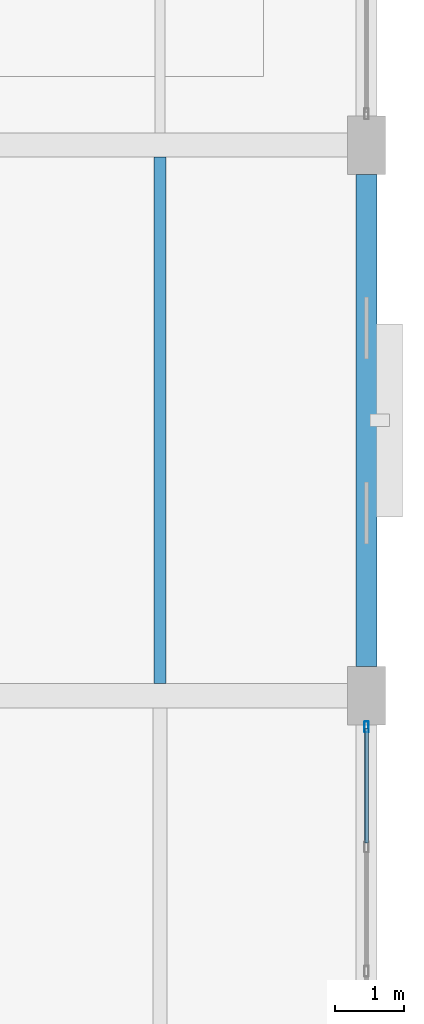
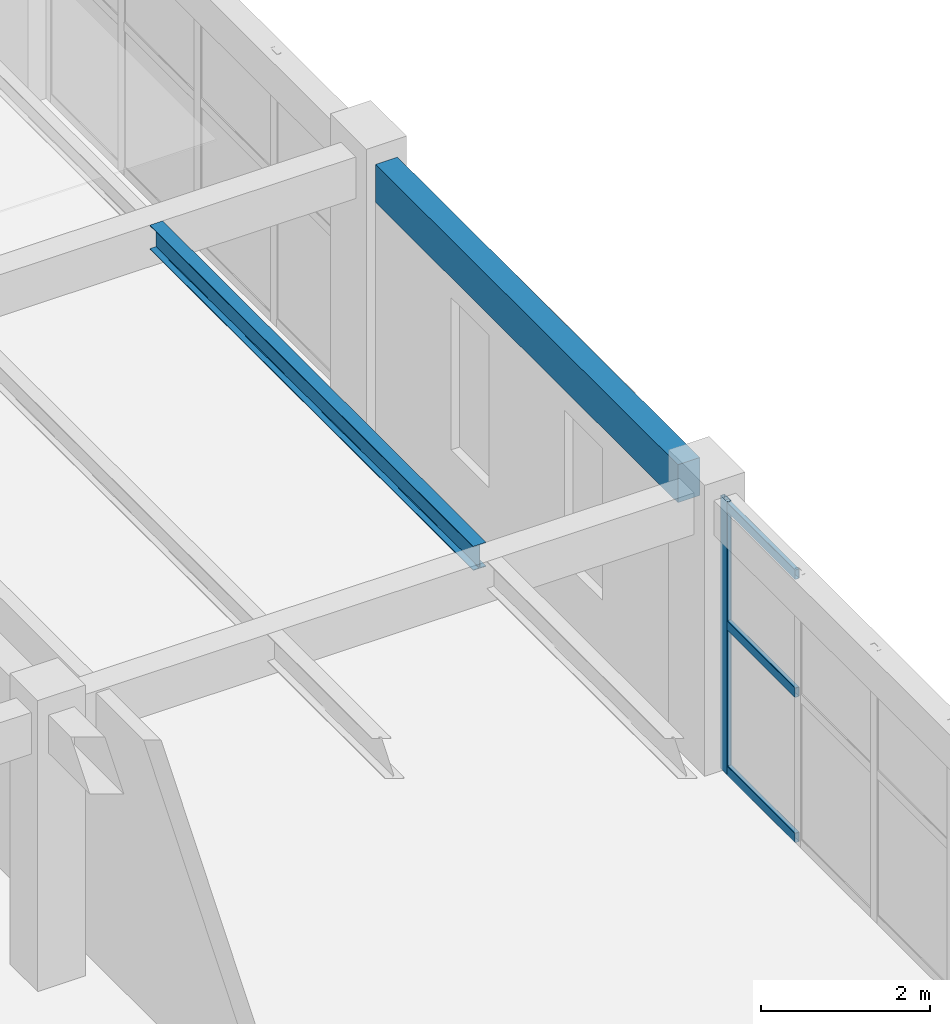
# One storey, part 21 of 71: 4 members, 2 beams, 1 element without a shape of its own.
"""IFC4 building model written with IfcOpenShell, lengths in metres."""

from ifc_helpers import new_model, si_unit, derived_unit, direction, frame, origin, origin_2d, place, context, subcontext, project, spatial, rectangle, hollow_rectangle, i_section, extrude, material, material_profile, profile_set, type_object, element, aggregate, save


model = new_model("IFC4")

# Units and contexts
model_context = context("Model", 3, precision=1e-05, world=origin(), true_north=direction((0.0, 1.0)))
body_context = subcontext(model_context, "Body", "Model", "MODEL_VIEW")
ifc_project = project(units=[si_unit("LENGTHUNIT", "METRE"), si_unit("AREAUNIT", "SQUARE_METRE"), si_unit("VOLUMEUNIT", "CUBIC_METRE"), si_unit("PLANEANGLEUNIT", "RADIAN"), si_unit("MASSUNIT", "GRAM", prefix="KILO"), derived_unit("THERMALTRANSMITTANCEUNIT", [(si_unit("MASSUNIT", "GRAM", prefix="KILO"), 1), (si_unit("TIMEUNIT", "SECOND"), -3), (si_unit("THERMODYNAMICTEMPERATUREUNIT", "KELVIN"), -1)])], contexts=[model_context])

# Site, building, storey
site_placement = place(None, origin())
site = spatial("IfcSite", under=ifc_project, at=site_placement, CompositionType="ELEMENT")
building_placement = place(site_placement, origin())
building = spatial("IfcBuilding", under=site, at=building_placement, Name="Zhenchuan Archway Interchange", CompositionType="ELEMENT")
storey_placement = place(building_placement, frame((0.0, 0.0, 18.60009765625)))
storey = spatial("IfcBuildingStorey", under=building, at=storey_placement, Name="L04", CompositionType="ELEMENT", Elevation=18.60009765625)

# Curtain wall, members
ifc_material_1 = material(Name="Anodised Aluminium", Category="aluminium")
curtain_wall_type = type_object("IfcCurtainWallType", Name="CW_UNIT_4", PredefinedType="NOTDEFINED", material=ifc_material_1)
curtain_wall_placement = place(storey_placement, origin())
curtain_wall = element("IfcCurtainWall", 1, at=curtain_wall_placement, inside=storey, type_object=curtain_wall_type, Name="Unitised curtain wall CW:L04:199", PredefinedType="NOTDEFINED")
ifc_material_profile_1 = material_profile(ifc_material_1, hollow_rectangle(XDim=0.06005859375, YDim=0.159912109375, WallThickness=0.00390625, InnerFilletRadius=0.00390625, OuterFilletRadius=0.008056640625, at=origin_2d()), Name="ALU 160x60x4")
ifc_profile_set_1 = profile_set([ifc_material_profile_1], Name="Anodised Aluminium")
member_type_1 = type_object("IfcMemberType", Name="CW_MUL_150", PredefinedType="MULLION", material=ifc_profile_set_1)
member_1_placement = place(storey_placement, frame((171.0, 15.547119140625, 0.0), z_axis=(0.0, 0.0, 1.0), x_axis=(1.0, 0.0, 0.0)))
member_1 = element("IfcMember", 2, at=member_1_placement, type_object=member_type_1, Name="CW:L04:199 mullion 0", PredefinedType="MULLION", context=body_context, shape_type="SweptSolid", body=[
    extrude(hollow_rectangle(XDim=0.06005859375, YDim=0.159912109375, WallThickness=0.00390625, InnerFilletRadius=0.00390625, OuterFilletRadius=0.008056640625, at=origin_2d()), origin(), (0.0, 0.0, 1.0), 3.93994140625),
])
ifc_material_profile_2 = material_profile(ifc_material_1, hollow_rectangle(XDim=0.06005859375, YDim=0.139892578125, WallThickness=0.00341796875, InnerFilletRadius=0.00341796875, OuterFilletRadius=0.007080078125, at=origin_2d()), Name="ALU 140x60x3.5")
ifc_profile_set_2 = profile_set([ifc_material_profile_2], Name="Anodised Aluminium")
member_type_2 = type_object("IfcMemberType", Name="CW_TRN_140", PredefinedType="USERDEFINED", material=ifc_profile_set_2)
member_2_placement = place(storey_placement, frame((171.0, 15.527099609375, 0.059814453125), z_axis=(0.0, -1.0, 0.0), x_axis=(1.0, 0.0, 0.0)))
member_2 = element("IfcMember", 3, at=member_2_placement, type_object=member_type_2, Name="CW:L04:199 transom 0-1", ObjectType="TRANSOM", PredefinedType="USERDEFINED", context=body_context, shape_type="SweptSolid", body=[
    extrude(hollow_rectangle(XDim=0.06005859375, YDim=0.139892578125, WallThickness=0.00341796875, InnerFilletRadius=0.00341796875, OuterFilletRadius=0.007080078125, at=origin_2d()), origin(), (0.0, 0.0, 1.0), 1.66357421875),
])
member_3_placement = place(storey_placement, frame((171.0, 15.527099609375, 2.156005859375), z_axis=(0.0, -1.0, 0.0), x_axis=(1.0, 0.0, 0.0)))
member_3 = element("IfcMember", 4, at=member_3_placement, type_object=member_type_2, Name="CW:L04:199 transom 0-2", ObjectType="TRANSOM", PredefinedType="USERDEFINED", context=body_context, shape_type="SweptSolid", body=[
    extrude(hollow_rectangle(XDim=0.06005859375, YDim=0.139892578125, WallThickness=0.00341796875, InnerFilletRadius=0.00341796875, OuterFilletRadius=0.007080078125, at=origin_2d()), origin(), (0.0, 0.0, 1.0), 1.66357421875),
])
member_4_placement = place(storey_placement, frame((171.0, 15.527099609375, 3.85986328125), z_axis=(0.0, -1.0, 0.0), x_axis=(1.0, 0.0, 0.0)))
member_4 = element("IfcMember", 5, at=member_4_placement, type_object=member_type_2, Name="CW:L04:199 transom 0-3", ObjectType="TRANSOM", PredefinedType="USERDEFINED", context=body_context, shape_type="SweptSolid", body=[
    extrude(hollow_rectangle(XDim=0.06005859375, YDim=0.139892578125, WallThickness=0.00341796875, InnerFilletRadius=0.00341796875, OuterFilletRadius=0.007080078125, at=origin_2d()), origin(), (0.0, 0.0, 1.0), 1.66357421875),
])
aggregate(curtain_wall, [member_1, member_2, member_3, member_4])

# Beams
ifc_material_2 = material(Name="Steel Q355", Category="steel")
ifc_material_profile_3 = material_profile(ifc_material_2, i_section(OverallWidth=0.175048828125, OverallDepth=0.35009765625, WebThickness=0.007080078125, FlangeThickness=0.010986328125, FilletRadius=0.013916015625, at=origin_2d()), Name="HN 350x175")
ifc_profile_set_3 = profile_set([ifc_material_profile_3], Name="Steel Q355")
beam_type_1 = type_object("IfcBeamType", Name="JST_STL_HN350", PredefinedType="JOIST", material=ifc_profile_set_3)
beam_1_placement = place(storey_placement, frame((168.0, 16.175048828125, 3.764892578125), z_axis=(0.0, 1.0, 0.0), x_axis=(-1.0, 0.0, 0.0)))
element("IfcBeam", 6, at=beam_1_placement, inside=storey, type_object=beam_type_1, Name="Secondary joist 19-20/C-D #2 (L04)", PredefinedType="JOIST", context=body_context, shape_type="SweptSolid", body=[
    extrude(i_section(OverallWidth=0.175048828125, OverallDepth=0.35009765625, WebThickness=0.007080078125, FlangeThickness=0.010986328125, FilletRadius=0.013916015625, at=origin_2d()), origin(), (0.0, 0.0, 1.0), 7.64990234375),
])
ifc_material_3 = material(Name="Concrete C40", Category="concrete")
ifc_material_profile_4 = material_profile(ifc_material_3, rectangle(XDim=0.300048828125, YDim=0.550048828125, at=origin_2d()), Name="RC 300x550")
ifc_profile_set_4 = profile_set([ifc_material_profile_4], Name="Concrete C40")
beam_type_2 = type_object("IfcBeamType", Name="SP_RC_300x550", PredefinedType="SPANDREL", material=ifc_profile_set_4)
beam_2_placement = place(storey_placement, frame((171.0, 16.425048828125, 3.664794921875), z_axis=(0.0, 1.0, 0.0), x_axis=(-1.0, 0.0, 0.0)))
element("IfcBeam", 7, at=beam_2_placement, inside=storey, type_object=beam_type_2, Name="Beam 20:C-D (L04)", PredefinedType="SPANDREL", context=body_context, shape_type="SweptSolid", body=[
    extrude(rectangle(XDim=0.300048828125, YDim=0.550048828125, at=origin_2d()), origin(), (0.0, 0.0, 1.0), 7.14990234375),
])

save(model, "model.ifc")
